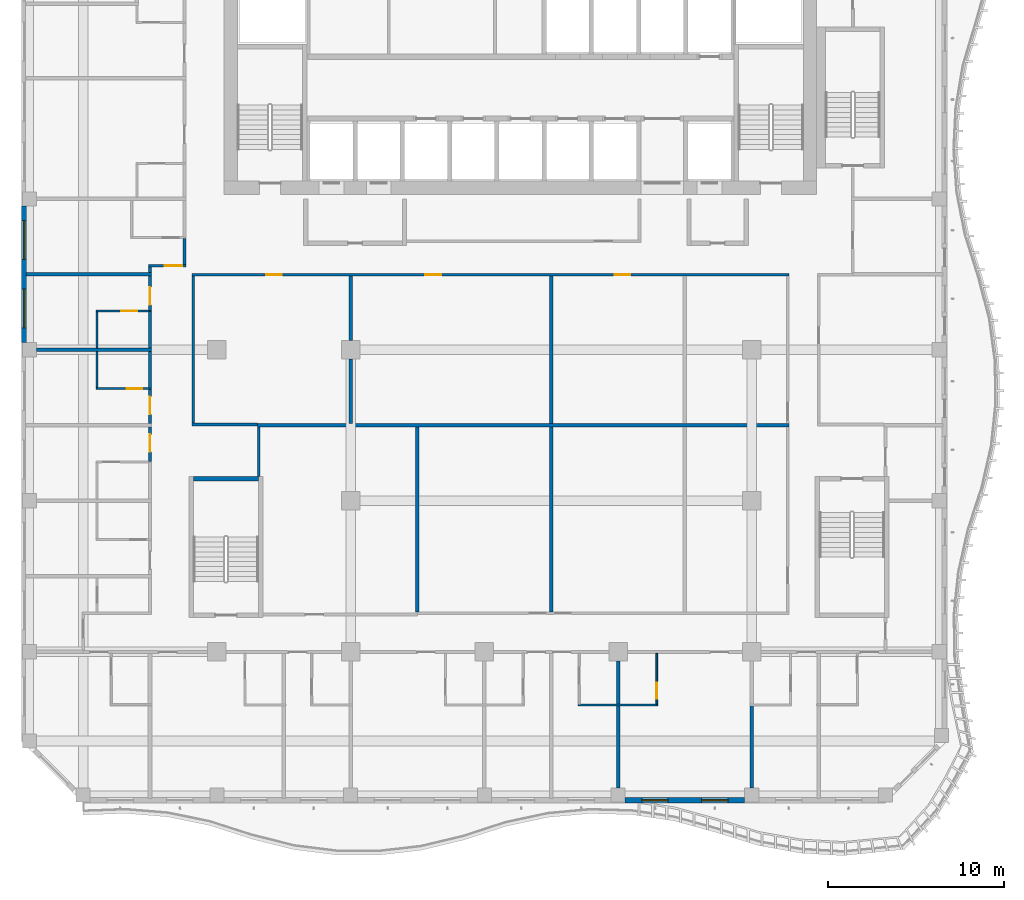
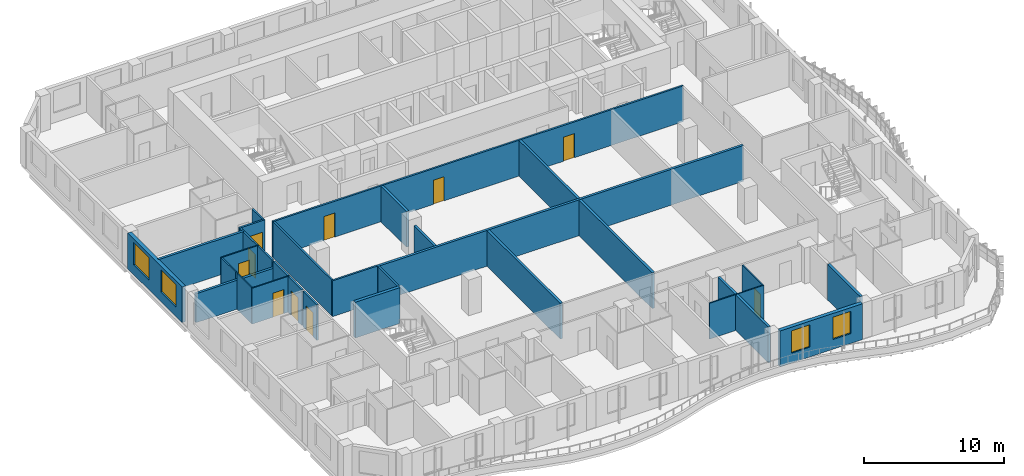
# One storey, part 4 of 21: 32 walls, 10 doors, 4 windows, 14 openings.
"""IFC4 building model written with IfcOpenShell, lengths in metres."""

from ifc_helpers import new_model, si_unit, direction, frame, frame_2d, origin, place, context, subcontext, project, spatial, rectangle, extrude, source, transform, mapped, material, layer, layer_set, type_object, element, fill, save


model = new_model("IFC4")

# Units and contexts
model_context = context("Model", 3, precision=1e-05, world=origin(), true_north=direction((0.0, 1.0)))
body_context = subcontext(model_context, "Body", "Model", "MODEL_VIEW")
ifc_project = project(units=[si_unit("LENGTHUNIT", "METRE"), si_unit("AREAUNIT", "SQUARE_METRE"), si_unit("VOLUMEUNIT", "CUBIC_METRE"), si_unit("PLANEANGLEUNIT", "RADIAN"), si_unit("MASSUNIT", "GRAM", prefix="KILO")], contexts=[model_context])

# Site, building, storey
site_placement = place(None, origin())
site = spatial("IfcSite", under=ifc_project, at=site_placement, CompositionType="ELEMENT")
building_placement = place(site_placement, origin())
building = spatial("IfcBuilding", under=site, at=building_placement, Name="Kilnfold Tower and Market Hall", CompositionType="ELEMENT")
storey_placement = place(building_placement, frame((0.0, 0.0, 182.10009765625)))
storey = spatial("IfcBuildingStorey", under=building, at=storey_placement, Name="L43", CompositionType="ELEMENT", Elevation=182.10009765625)

# Wall, opening, door
ifc_material_1 = material(Name="Gypsum board on steel studs", Category="steel")
ifc_layer_1 = layer(ifc_material_1, 0.14990234375)
ifc_layer_set_1 = layer_set([ifc_layer_1], Name="Gypsum board on steel studs")
wall_type_1 = type_object("IfcWallType", Name="WALL CORRIDOR 150", PredefinedType="PARTITIONING", material=ifc_layer_set_1)
wall_1_placement = place(storey_placement, frame((-19.958984375, -6.885009765625, 0.0), z_axis=(0.0, 0.0, 1.0), x_axis=(0.0, 1.0, 0.0)))
wall_1 = element("IfcWall", 1, at=wall_1_placement, inside=storey, type_object=wall_type_1, Name="Partition LY27.12", PredefinedType="PARTITIONING", context=body_context, shape_type="SweptSolid", body=[
    extrude(rectangle(XDim=1.951904296875, YDim=0.14990234375, at=frame_2d((0.97607421875, 0.0))), origin(), (0.0, 0.0, 1.0), 3.119873046875),
])
opening_1_placement = place(wall_1_placement, frame((0.531005859375, 0.0, 0.0)))
opening_1 = element("IfcOpeningElement", 2, at=opening_1_placement, cuts=wall_1, Name="Opening D1", PredefinedType="OPENING", context=body_context, shape_type="SweptSolid", body=[
    extrude(rectangle(XDim=1.0, YDim=2.10009765625, at=frame_2d((0.5, 1.050048828125))), frame((0.0, 0.0849609375, 0.0), z_axis=(0.0, -1.0, 0.0), x_axis=(1.0, 0.0, 0.0)), (0.0, 0.0, 1.0), 0.169921875),
])
ifc_material_2 = material(Name="Timber veneer door leaf in steel frame", Category="steel")
door_type_1 = type_object("IfcDoorType", Name="DOOR ENTRY 1000 X2100", OperationType="NOTDEFINED", PredefinedType="DOOR", material=ifc_material_2)
door_1_placement = place(opening_1_placement, origin())
door_1 = element("IfcDoor", 3, at=door_1_placement, inside=storey, type_object=door_type_1, Name="Door D1", OperationType="SINGLE_SWING_LEFT", OverallHeight=2.10009765625, OverallWidth=1.0, PredefinedType="DOOR", context=body_context, shape_type="SweptSolid", body=[
    extrude(rectangle(XDim=1.0, YDim=2.10009765625, at=frame_2d((0.5, 1.050048828125))), frame((0.0, 0.02490234375, 0.0), z_axis=(0.0, -1.0, 0.0), x_axis=(1.0, 0.0, 0.0)), (0.0, 0.0, 1.0), 0.050048828125),
])
fill(opening_1, door_1)

wall_2_placement = place(storey_placement, frame((-19.958984375, -4.7529296875, 0.0), z_axis=(0.0, 0.0, 1.0), x_axis=(0.0, 1.0, 0.0)))
wall_2 = element("IfcWall", 4, at=wall_2_placement, inside=storey, type_object=wall_type_1, Name="Partition LY27.14", PredefinedType="PARTITIONING", context=body_context, shape_type="SweptSolid", body=[
    extrude(rectangle(XDim=1.950927734375, YDim=0.14990234375, at=frame_2d((0.9755859375, 0.0))), origin(), (0.0, 0.0, 1.0), 3.119873046875),
])
opening_2_placement = place(wall_2_placement, frame((0.531005859375, 0.0, 0.0)))
opening_2 = element("IfcOpeningElement", 5, at=opening_2_placement, cuts=wall_2, Name="Opening D1", PredefinedType="OPENING", context=body_context, shape_type="SweptSolid", body=[
    extrude(rectangle(XDim=1.0, YDim=2.10009765625, at=frame_2d((0.5, 1.050048828125))), frame((0.0, 0.0849609375, 0.0), z_axis=(0.0, -1.0, 0.0), x_axis=(1.0, 0.0, 0.0)), (0.0, 0.0, 1.0), 0.169921875),
])
door_2_placement = place(opening_2_placement, origin())
door_2 = element("IfcDoor", 6, at=door_2_placement, inside=storey, type_object=door_type_1, Name="Door D1", OperationType="SINGLE_SWING_LEFT", OverallHeight=2.10009765625, OverallWidth=1.0, PredefinedType="DOOR", context=body_context, shape_type="SweptSolid", body=[
    extrude(rectangle(XDim=1.0, YDim=2.10009765625, at=frame_2d((0.5, 1.050048828125))), frame((0.0, 0.02490234375, 0.0), z_axis=(0.0, -1.0, 0.0), x_axis=(1.0, 0.0, 0.0)), (0.0, 0.0, 1.0), 0.050048828125),
])
fill(opening_2, door_2)

# Wall
wall_3_placement = place(storey_placement, frame((-19.958984375, -2.721923828125, 0.0), z_axis=(0.0, 0.0, 1.0), x_axis=(0.0, 1.0, 0.0)))
element("IfcWall", 7, at=wall_3_placement, inside=storey, type_object=wall_type_1, Name="Partition LY27.15", PredefinedType="PARTITIONING", context=body_context, shape_type="SweptSolid", body=[
    extrude(rectangle(XDim=2.06982421875, YDim=0.14990234375, at=frame_2d((1.034912109375, 0.0))), origin(), (0.0, 0.0, 1.0), 3.119873046875),
])

# Wall, opening, door
wall_4_placement = place(storey_placement, frame((-19.958984375, 1.677978515625, 0.0), z_axis=(0.0, 0.0, 1.0), x_axis=(0.0, 1.0, 0.0)))
wall_4 = element("IfcWall", 8, at=wall_4_placement, inside=storey, type_object=wall_type_1, Name="Partition LY27.16", PredefinedType="PARTITIONING", context=body_context, shape_type="SweptSolid", body=[
    extrude(rectangle(XDim=1.950927734375, YDim=0.14990234375, at=frame_2d((0.9755859375, 0.0))), origin(), (0.0, 0.0, 1.0), 3.119873046875),
])
opening_3_placement = place(wall_4_placement, frame((0.31005859375, 0.0, 0.0)))
opening_3 = element("IfcOpeningElement", 9, at=opening_3_placement, cuts=wall_4, Name="Opening D1", PredefinedType="OPENING", context=body_context, shape_type="SweptSolid", body=[
    extrude(rectangle(XDim=1.0, YDim=2.10009765625, at=frame_2d((0.5, 1.050048828125))), frame((0.0, 0.0849609375, 0.0), z_axis=(0.0, -1.0, 0.0), x_axis=(1.0, 0.0, 0.0)), (0.0, 0.0, 1.0), 0.169921875),
])
door_3_placement = place(opening_3_placement, origin())
door_3 = element("IfcDoor", 10, at=door_3_placement, inside=storey, type_object=door_type_1, Name="Door D1", OperationType="SINGLE_SWING_LEFT", OverallHeight=2.10009765625, OverallWidth=1.0, PredefinedType="DOOR", context=body_context, shape_type="SweptSolid", body=[
    extrude(rectangle(XDim=1.0, YDim=2.10009765625, at=frame_2d((0.5, 1.050048828125))), frame((0.0, 0.02490234375, 0.0), z_axis=(0.0, -1.0, 0.0), x_axis=(1.0, 0.0, 0.0)), (0.0, 0.0, 1.0), 0.050048828125),
])
fill(opening_3, door_3)

# Walls
wall_5_placement = place(storey_placement, frame((-19.958984375, -0.471923828125, 0.0), z_axis=(0.0, 0.0, 1.0), x_axis=(0.0, 1.0, 0.0)))
element("IfcWall", 11, at=wall_5_placement, inside=storey, type_object=wall_type_1, Name="Partition LY27.17", PredefinedType="PARTITIONING", context=body_context, shape_type="SweptSolid", body=[
    extrude(rectangle(XDim=2.06982421875, YDim=0.14990234375, at=frame_2d((1.034912109375, 0.0))), origin(), (0.0, 0.0, 1.0), 3.119873046875),
])
wall_6_placement = place(storey_placement, frame((-19.958984375, 3.80908203125, 0.0), z_axis=(0.0, 0.0, 1.0), x_axis=(0.0, 1.0, 0.0)))
element("IfcWall", 12, at=wall_6_placement, inside=storey, type_object=wall_type_1, Name="Partition LY27.18", PredefinedType="PARTITIONING", context=body_context, shape_type="SweptSolid", body=[
    extrude(rectangle(XDim=0.31591796875, YDim=0.14990234375, at=frame_2d((0.157958984375, 0.0))), origin(), (0.0, 0.0, 1.0), 3.119873046875),
])

# Wall, opening, door
wall_7_placement = place(storey_placement, frame((-17.925048828125, 4.199951171875, 0.0), z_axis=(0.0, 0.0, 1.0), x_axis=(-1.0, 0.0, 0.0)))
wall_7 = element("IfcWall", 13, at=wall_7_placement, inside=storey, type_object=wall_type_1, Name="Partition LY27.19", PredefinedType="PARTITIONING", context=body_context, shape_type="SweptSolid", body=[
    extrude(rectangle(XDim=2.10888671875, YDim=0.14990234375, at=frame_2d((1.054443359375, 0.0))), origin(), (0.0, 0.0, 1.0), 3.119873046875),
])
opening_4_placement = place(wall_7_placement, frame((0.199951171875, 0.0, 0.0)))
opening_4 = element("IfcOpeningElement", 14, at=opening_4_placement, cuts=wall_7, Name="Opening D1", PredefinedType="OPENING", context=body_context, shape_type="SweptSolid", body=[
    extrude(rectangle(XDim=1.0, YDim=2.10009765625, at=frame_2d((0.5, 1.050048828125))), frame((0.0, 0.0849609375, 0.0), z_axis=(0.0, -1.0, 0.0), x_axis=(1.0, 0.0, 0.0)), (0.0, 0.0, 1.0), 0.169921875),
])
door_4_placement = place(opening_4_placement, origin())
door_4 = element("IfcDoor", 15, at=door_4_placement, inside=storey, type_object=door_type_1, Name="Door D1", OperationType="SINGLE_SWING_LEFT", OverallHeight=2.10009765625, OverallWidth=1.0, PredefinedType="DOOR", context=body_context, shape_type="SweptSolid", body=[
    extrude(rectangle(XDim=1.0, YDim=2.10009765625, at=frame_2d((0.5, 1.050048828125))), frame((0.0, 0.02490234375, 0.0), z_axis=(0.0, -1.0, 0.0), x_axis=(1.0, 0.0, 0.0)), (0.0, 0.0, 1.0), 0.050048828125),
])
fill(opening_4, door_4)

# Wall
wall_8_placement = place(storey_placement, frame((-18.0, 4.27490234375, 0.0), z_axis=(0.0, 0.0, 1.0), x_axis=(0.0, 1.0, 0.0)))
element("IfcWall", 16, at=wall_8_placement, inside=storey, type_object=wall_type_1, Name="Partition LY27.20", PredefinedType="PARTITIONING", context=body_context, shape_type="SweptSolid", body=[
    extrude(rectangle(XDim=1.485107421875, YDim=0.14990234375, at=frame_2d((0.74267578125, 0.0))), origin(), (0.0, 0.0, 1.0), 3.119873046875),
])

# Wall, openings, doors
wall_9_placement = place(storey_placement, frame((-17.574951171875, 3.699951171875, 0.0), z_axis=(0.0, 0.0, 1.0), x_axis=(1.0, 0.0, 0.0)))
wall_9 = element("IfcWall", 17, at=wall_9_placement, inside=storey, type_object=wall_type_1, Name="Partition LY27.42", PredefinedType="PARTITIONING", context=body_context, shape_type="SweptSolid", body=[
    extrude(rectangle(XDim=33.849853515625, YDim=0.14990234375, at=frame_2d((16.9248046875, 0.0))), origin(), (0.0, 0.0, 1.0), 3.119873046875),
])
opening_5_placement = place(wall_9_placement, frame((4.200927734375, 0.0, 0.0)))
opening_5 = element("IfcOpeningElement", 18, at=opening_5_placement, cuts=wall_9, Name="Opening D2", PredefinedType="OPENING", context=body_context, shape_type="SweptSolid", body=[
    extrude(rectangle(XDim=0.89990234375, YDim=2.10009765625, at=frame_2d((0.449951171875, 1.050048828125))), frame((0.0, 0.0849609375, 0.0), z_axis=(0.0, -1.0, 0.0), x_axis=(1.0, 0.0, 0.0)), (0.0, 0.0, 1.0), 0.169921875),
])
opening_6_placement = place(wall_9_placement, frame((13.219970703125, 0.0, 0.0)))
opening_6 = element("IfcOpeningElement", 19, at=opening_6_placement, cuts=wall_9, Name="Opening D2", PredefinedType="OPENING", context=body_context, shape_type="SweptSolid", body=[
    extrude(rectangle(XDim=0.89990234375, YDim=2.10009765625, at=frame_2d((0.449951171875, 1.050048828125))), frame((0.0, 0.0849609375, 0.0), z_axis=(0.0, -1.0, 0.0), x_axis=(1.0, 0.0, 0.0)), (0.0, 0.0, 1.0), 0.169921875),
])
opening_7_placement = place(wall_9_placement, frame((23.958984375, 0.0, 0.0)))
opening_7 = element("IfcOpeningElement", 20, at=opening_7_placement, cuts=wall_9, Name="Opening D2", PredefinedType="OPENING", context=body_context, shape_type="SweptSolid", body=[
    extrude(rectangle(XDim=0.89990234375, YDim=2.10009765625, at=frame_2d((0.449951171875, 1.050048828125))), frame((0.0, 0.0849609375, 0.0), z_axis=(0.0, -1.0, 0.0), x_axis=(1.0, 0.0, 0.0)), (0.0, 0.0, 1.0), 0.169921875),
])
ifc_material_3 = material(Name="Timber veneer door leaf in steel frame", Category="steel")
door_type_2 = type_object("IfcDoorType", Name="DOOR ROOM 900 X2100", OperationType="NOTDEFINED", PredefinedType="DOOR", material=ifc_material_3)
door_5_placement = place(opening_5_placement, origin())
door_5 = element("IfcDoor", 21, at=door_5_placement, inside=storey, type_object=door_type_2, Name="Door D2", OperationType="SINGLE_SWING_LEFT", OverallHeight=2.10009765625, OverallWidth=0.89990234375, PredefinedType="DOOR", context=body_context, shape_type="SweptSolid", body=[
    extrude(rectangle(XDim=0.89990234375, YDim=2.10009765625, at=frame_2d((0.449951171875, 1.050048828125))), frame((0.0, 0.02490234375, 0.0), z_axis=(0.0, -1.0, 0.0), x_axis=(1.0, 0.0, 0.0)), (0.0, 0.0, 1.0), 0.050048828125),
])
fill(opening_5, door_5)
door_6_placement = place(opening_6_placement, origin())
door_6 = element("IfcDoor", 22, at=door_6_placement, inside=storey, type_object=door_type_2, Name="Door D2", OperationType="SINGLE_SWING_LEFT", OverallHeight=2.10009765625, OverallWidth=0.89990234375, PredefinedType="DOOR", context=body_context, shape_type="SweptSolid", body=[
    extrude(rectangle(XDim=0.89990234375, YDim=2.10009765625, at=frame_2d((0.449951171875, 1.050048828125))), frame((0.0, 0.02490234375, 0.0), z_axis=(0.0, -1.0, 0.0), x_axis=(1.0, 0.0, 0.0)), (0.0, 0.0, 1.0), 0.050048828125),
])
fill(opening_6, door_6)
door_7_placement = place(opening_7_placement, origin())
door_7 = element("IfcDoor", 23, at=door_7_placement, inside=storey, type_object=door_type_2, Name="Door D2", OperationType="SINGLE_SWING_LEFT", OverallHeight=2.10009765625, OverallWidth=0.89990234375, PredefinedType="DOOR", context=body_context, shape_type="SweptSolid", body=[
    extrude(rectangle(XDim=0.89990234375, YDim=2.10009765625, at=frame_2d((0.449951171875, 1.050048828125))), frame((0.0, 0.02490234375, 0.0), z_axis=(0.0, -1.0, 0.0), x_axis=(1.0, 0.0, 0.0)), (0.0, 0.0, 1.0), 0.050048828125),
])
fill(opening_7, door_7)

# Walls
wall_10_placement = place(storey_placement, frame((-17.5, -4.72509765625, 0.0), z_axis=(0.0, 0.0, 1.0), x_axis=(0.0, 1.0, 0.0)))
element("IfcWall", 24, at=wall_10_placement, inside=storey, type_object=wall_type_1, Name="Partition LY27.43", PredefinedType="PARTITIONING", context=body_context, shape_type="SweptSolid", body=[
    extrude(rectangle(XDim=8.35009765625, YDim=0.14990234375, at=frame_2d((4.175048828125, 0.0))), origin(), (0.0, 0.0, 1.0), 3.119873046875),
])
wall_11_placement = place(storey_placement, frame((-17.574951171875, -4.800048828125, 0.0), z_axis=(0.0, 0.0, 1.0), x_axis=(1.0, 0.0, 0.0)))
element("IfcWall", 25, at=wall_11_placement, inside=storey, type_object=wall_type_1, Name="Partition LY27.44", PredefinedType="PARTITIONING", context=body_context, shape_type="SweptSolid", body=[
    extrude(rectangle(XDim=3.701904296875, YDim=0.14990234375, at=frame_2d((1.85107421875, 0.0))), origin(), (0.0, 0.0, 1.0), 3.119873046875),
])
wall_12_placement = place(storey_placement, frame((-13.800048828125, -7.75, 0.0), z_axis=(0.0, 0.0, 1.0), x_axis=(0.0, 1.0, 0.0)))
element("IfcWall", 26, at=wall_12_placement, inside=storey, type_object=wall_type_1, Name="Partition LY27.46", PredefinedType="PARTITIONING", context=body_context, shape_type="SweptSolid", body=[
    extrude(rectangle(XDim=2.81689453125, YDim=0.14990234375, at=frame_2d((1.408447265625, 0.0))), origin(), (0.0, 0.0, 1.0), 3.119873046875),
])
ifc_material_4 = material(Name="Gypsum board on steel studs", Category="steel")
ifc_layer_2 = layer(ifc_material_4, 0.10009765625)
ifc_layer_set_2 = layer_set([ifc_layer_2], Name="Gypsum board on steel studs")
wall_type_2 = type_object("IfcWallType", Name="WALL PARTITION 100", PredefinedType="PARTITIONING", material=ifc_layer_set_2)
wall_13_placement = place(storey_placement, frame((4.3330078125, -20.701904296875, 0.0), z_axis=(0.0, 0.0, 1.0), x_axis=(1.0, 0.0, 0.0)))
element("IfcWall", 27, at=wall_13_placement, inside=storey, type_object=wall_type_2, Name="Partition LY27.70", PredefinedType="PARTITIONING", context=body_context, shape_type="SweptSolid", body=[
    extrude(rectangle(XDim=4.5, YDim=0.10009765625, at=frame_2d((2.25, 0.0))), origin(), (0.0, 0.0, 1.0), 3.119873046875),
])

# Wall, opening, door
wall_14_placement = place(storey_placement, frame((8.782958984375, -17.777099609375, 0.0), z_axis=(0.0, 0.0, 1.0), x_axis=(0.0, -1.0, 0.0)))
wall_14 = element("IfcWall", 28, at=wall_14_placement, inside=storey, type_object=wall_type_2, Name="Partition LY27.73", PredefinedType="PARTITIONING", context=body_context, shape_type="SweptSolid", body=[
    extrude(rectangle(XDim=2.875, YDim=0.10009765625, at=frame_2d((1.4375, 0.0))), origin(), (0.0, 0.0, 1.0), 3.119873046875),
])
opening_8_placement = place(wall_14_placement, frame((1.669921875, 0.0, 0.0)))
opening_8 = element("IfcOpeningElement", 29, at=opening_8_placement, cuts=wall_14, Name="Opening D3", PredefinedType="OPENING", context=body_context, shape_type="SweptSolid", body=[
    extrude(rectangle(XDim=0.89990234375, YDim=2.10009765625, at=frame_2d((0.449951171875, 1.050048828125))), frame((0.0, 0.06005859375, 0.0), z_axis=(0.0, -1.0, 0.0), x_axis=(1.0, 0.0, 0.0)), (0.0, 0.0, 1.0), 0.1201171875),
])
ifc_material_5 = material(Name="Timber veneer door leaf in steel frame", Category="steel")
door_type_3 = type_object("IfcDoorType", Name="DOOR WC 900 X2100", OperationType="NOTDEFINED", PredefinedType="DOOR", material=ifc_material_5)
door_8_placement = place(opening_8_placement, origin())
door_8 = element("IfcDoor", 30, at=door_8_placement, inside=storey, type_object=door_type_3, Name="Door D3", OperationType="SINGLE_SWING_LEFT", OverallHeight=2.10009765625, OverallWidth=0.89990234375, PredefinedType="DOOR", context=body_context, shape_type="SweptSolid", body=[
    extrude(rectangle(XDim=0.89990234375, YDim=2.10009765625, at=frame_2d((0.449951171875, 1.050048828125))), frame((0.0, 0.02490234375, 0.0), z_axis=(0.0, -1.0, 0.0), x_axis=(1.0, 0.0, 0.0)), (0.0, 0.0, 1.0), 0.050048828125),
])
fill(opening_8, door_8)

wall_15_placement = place(storey_placement, frame((-19.885986328125, -2.761962890625, 0.0), z_axis=(0.0, 0.0, 1.0), x_axis=(-1.0, 0.0, 0.0)))
wall_15 = element("IfcWall", 31, at=wall_15_placement, inside=storey, type_object=wall_type_2, Name="Partition LY27.91", PredefinedType="PARTITIONING", context=body_context, shape_type="SweptSolid", body=[
    extrude(rectangle(XDim=3.125, YDim=0.10009765625, at=frame_2d((1.5625, 0.0))), origin(), (0.0, 0.0, 1.0), 3.119873046875),
])
opening_9_placement = place(wall_15_placement, frame((0.50390625, 0.0, 0.0)))
opening_9 = element("IfcOpeningElement", 32, at=opening_9_placement, cuts=wall_15, Name="Opening D3", PredefinedType="OPENING", context=body_context, shape_type="SweptSolid", body=[
    extrude(rectangle(XDim=0.89990234375, YDim=2.10009765625, at=frame_2d((0.449951171875, 1.050048828125))), frame((0.0, 0.06005859375, 0.0), z_axis=(0.0, -1.0, 0.0), x_axis=(1.0, 0.0, 0.0)), (0.0, 0.0, 1.0), 0.1201171875),
])
door_9_placement = place(opening_9_placement, origin())
door_9 = element("IfcDoor", 33, at=door_9_placement, inside=storey, type_object=door_type_3, Name="Door D3", OperationType="SINGLE_SWING_RIGHT", OverallHeight=2.10009765625, OverallWidth=0.89990234375, PredefinedType="DOOR", context=body_context, shape_type="SweptSolid", body=[
    extrude(rectangle(XDim=0.89990234375, YDim=2.10009765625, at=frame_2d((0.449951171875, 1.050048828125))), frame((0.0, 0.02490234375, 0.0), z_axis=(0.0, -1.0, 0.0), x_axis=(1.0, 0.0, 0.0)), (0.0, 0.0, 1.0), 0.050048828125),
])
fill(opening_9, door_9)

# Wall
wall_16_placement = place(storey_placement, frame((-22.9609375, -2.7119140625, 0.0), z_axis=(0.0, 0.0, 1.0), x_axis=(0.0, 1.0, 0.0)))
element("IfcWall", 34, at=wall_16_placement, inside=storey, type_object=wall_type_2, Name="Partition LY27.92", PredefinedType="PARTITIONING", context=body_context, shape_type="SweptSolid", body=[
    extrude(rectangle(XDim=2.0498046875, YDim=0.10009765625, at=frame_2d((1.02490234375, 0.0))), origin(), (0.0, 0.0, 1.0), 3.119873046875),
])

# Wall, opening, door
wall_17_placement = place(storey_placement, frame((-23.010986328125, 1.637939453125, 0.0), z_axis=(0.0, 0.0, 1.0), x_axis=(1.0, 0.0, 0.0)))
wall_17 = element("IfcWall", 35, at=wall_17_placement, inside=storey, type_object=wall_type_2, Name="Partition LY27.94", PredefinedType="PARTITIONING", context=body_context, shape_type="SweptSolid", body=[
    extrude(rectangle(XDim=3.125, YDim=0.10009765625, at=frame_2d((1.5625, 0.0))), origin(), (0.0, 0.0, 1.0), 3.119873046875),
])
opening_10_placement = place(wall_17_placement, frame((1.4169921875, 0.0, 0.0)))
opening_10 = element("IfcOpeningElement", 36, at=opening_10_placement, cuts=wall_17, Name="Opening D3", PredefinedType="OPENING", context=body_context, shape_type="SweptSolid", body=[
    extrude(rectangle(XDim=0.89990234375, YDim=2.10009765625, at=frame_2d((0.449951171875, 1.050048828125))), frame((0.0, 0.06005859375, 0.0), z_axis=(0.0, -1.0, 0.0), x_axis=(1.0, 0.0, 0.0)), (0.0, 0.0, 1.0), 0.1201171875),
])
door_10_placement = place(opening_10_placement, origin())
door_10 = element("IfcDoor", 37, at=door_10_placement, inside=storey, type_object=door_type_3, Name="Door D3", OperationType="SINGLE_SWING_LEFT", OverallHeight=2.10009765625, OverallWidth=0.89990234375, PredefinedType="DOOR", context=body_context, shape_type="SweptSolid", body=[
    extrude(rectangle(XDim=0.89990234375, YDim=2.10009765625, at=frame_2d((0.449951171875, 1.050048828125))), frame((0.0, 0.02490234375, 0.0), z_axis=(0.0, -1.0, 0.0), x_axis=(1.0, 0.0, 0.0)), (0.0, 0.0, 1.0), 0.050048828125),
])
fill(opening_10, door_10)

# Walls
wall_18_placement = place(storey_placement, frame((-22.9609375, -0.4619140625, 0.0), z_axis=(0.0, 0.0, 1.0), x_axis=(0.0, 1.0, 0.0)))
element("IfcWall", 38, at=wall_18_placement, inside=storey, type_object=wall_type_2, Name="Partition LY27.95", PredefinedType="PARTITIONING", context=body_context, shape_type="SweptSolid", body=[
    extrude(rectangle(XDim=2.0498046875, YDim=0.10009765625, at=frame_2d((1.02490234375, 0.0))), origin(), (0.0, 0.0, 1.0), 3.119873046875),
])
ifc_material_6 = material(Name="Gypsum board on steel studs", Category="steel")
ifc_layer_3 = layer(ifc_material_6, 0.199951171875)
ifc_layer_set_3 = layer_set([ifc_layer_3], Name="Gypsum board on steel studs")
wall_type_3 = type_object("IfcWallType", Name="WALL PARTY 200", PredefinedType="PARTITIONING", material=ifc_layer_set_3)
wall_19_placement = place(storey_placement, frame((6.5830078125, -25.39990234375, 0.0), z_axis=(0.0, 0.0, 1.0), x_axis=(0.0, 1.0, 0.0)))
element("IfcWall", 39, at=wall_19_placement, inside=storey, type_object=wall_type_3, Name="Partition LY27.71", PredefinedType="PARTITIONING", context=body_context, shape_type="SweptSolid", body=[
    extrude(rectangle(XDim=4.64794921875, YDim=0.199951171875, at=frame_2d((2.323974609375, 0.0))), origin(), (0.0, 0.0, 1.0), 3.119873046875),
])
wall_20_placement = place(storey_placement, frame((6.5830078125, -20.652099609375, 0.0), z_axis=(0.0, 0.0, 1.0), x_axis=(0.0, 1.0, 0.0)))
element("IfcWall", 40, at=wall_20_placement, inside=storey, type_object=wall_type_3, Name="Partition LY27.72", PredefinedType="PARTITIONING", context=body_context, shape_type="SweptSolid", body=[
    extrude(rectangle(XDim=2.440185546875, YDim=0.199951171875, at=frame_2d((1.22021484375, 0.0))), origin(), (0.0, 0.0, 1.0), 3.119873046875),
])
wall_21_placement = place(storey_placement, frame((14.1669921875, -25.39990234375, 0.0), z_axis=(0.0, 0.0, 1.0), x_axis=(0.0, 1.0, 0.0)))
element("IfcWall", 41, at=wall_21_placement, inside=storey, type_object=wall_type_3, Name="Partition LY27.74", PredefinedType="PARTITIONING", context=body_context, shape_type="SweptSolid", body=[
    extrude(rectangle(XDim=4.657958984375, YDim=0.199951171875, at=frame_2d((2.3291015625, 0.0))), origin(), (0.0, 0.0, 1.0), 3.119873046875),
])
wall_22_placement = place(storey_placement, frame((-26.39990234375, -0.56201171875, 0.0), z_axis=(0.0, 0.0, 1.0), x_axis=(1.0, 0.0, 0.0)))
element("IfcWall", 42, at=wall_22_placement, inside=storey, type_object=wall_type_3, Name="Partition LY27.93", PredefinedType="PARTITIONING", context=body_context, shape_type="SweptSolid", body=[
    extrude(rectangle(XDim=6.513916015625, YDim=0.199951171875, at=frame_2d((3.2568359375, 0.0))), origin(), (0.0, 0.0, 1.0), 2.52001953125),
])
wall_23_placement = place(storey_placement, frame((-27.0, 3.718994140625, 0.0), z_axis=(0.0, 0.0, 1.0), x_axis=(1.0, 0.0, 0.0)))
element("IfcWall", 43, at=wall_23_placement, inside=storey, type_object=wall_type_3, Name="Partition LY27.96", PredefinedType="PARTITIONING", context=body_context, shape_type="SweptSolid", body=[
    extrude(rectangle(XDim=7.114013671875, YDim=0.199951171875, at=frame_2d((3.55712890625, 0.0))), origin(), (0.0, 0.0, 1.0), 3.119873046875),
])
wall_24_placement = place(storey_placement, frame((-8.5830078125, -0.037109375, 0.0), z_axis=(0.0, 0.0, 1.0), x_axis=(0.0, 1.0, 0.0)))
element("IfcWall", 44, at=wall_24_placement, inside=storey, type_object=wall_type_3, Name="Partition LY27.117", PredefinedType="PARTITIONING", context=body_context, shape_type="SweptSolid", body=[
    extrude(rectangle(XDim=3.66015625, YDim=0.199951171875, at=frame_2d((1.830078125, 0.0))), origin(), (0.0, 0.0, 1.0), 3.119873046875),
])
wall_25_placement = place(storey_placement, frame((-8.5830078125, -4.742919921875, 0.0), z_axis=(0.0, 0.0, 1.0), x_axis=(0.0, 1.0, 0.0)))
element("IfcWall", 45, at=wall_25_placement, inside=storey, type_object=wall_type_3, Name="Partition LY27.118", PredefinedType="PARTITIONING", context=body_context, shape_type="SweptSolid", body=[
    extrude(rectangle(XDim=3.656005859375, YDim=0.199951171875, at=frame_2d((1.828125, 0.0))), origin(), (0.0, 0.0, 1.0), 2.52001953125),
])
wall_26_placement = place(storey_placement, frame((-13.873046875, -4.843017578125, 0.0), z_axis=(0.0, 0.0, 1.0), x_axis=(1.0, 0.0, 0.0)))
element("IfcWall", 46, at=wall_26_placement, inside=storey, type_object=wall_type_3, Name="Partition LY27.119", PredefinedType="PARTITIONING", context=body_context, shape_type="SweptSolid", body=[
    extrude(rectangle(XDim=30.14599609375, YDim=0.199951171875, at=frame_2d((15.072998046875, 0.0))), origin(), (0.0, 0.0, 1.0), 3.119873046875),
])
wall_27_placement = place(storey_placement, frame((2.7919921875, -4.742919921875, 0.0), z_axis=(0.0, 0.0, 1.0), x_axis=(0.0, 1.0, 0.0)))
element("IfcWall", 47, at=wall_27_placement, inside=storey, type_object=wall_type_3, Name="Partition LY27.120", PredefinedType="PARTITIONING", context=body_context, shape_type="SweptSolid", body=[
    extrude(rectangle(XDim=8.365966796875, YDim=0.199951171875, at=frame_2d((4.18310546875, 0.0))), origin(), (0.0, 0.0, 1.0), 3.119873046875),
])
for number, where, z_axis, x_axis, name in (
    (48, (-4.7919921875, -15.423095703125, 0.0), (0.0, 0.0, 1.0), (0.0, 1.0, 0.0), "Partition LY27.122"),
    (49, (2.7919921875, -15.423095703125, 0.0), (0.0, 0.0, 1.0), (0.0, 1.0, 0.0), "Partition LY27.123"),
):
    element("IfcWall", number, at=place(storey_placement, frame(where, z_axis=z_axis, x_axis=x_axis)), inside=storey, type_object=wall_type_3, Name=name, PredefinedType="PARTITIONING", context=body_context, shape_type="SweptSolid", body=[
        extrude(rectangle(XDim=10.47998046875, YDim=0.199951171875, at=frame_2d((5.239990234375, 0.0))), origin(), (0.0, 0.0, 1.0), 3.119873046875),
    ])
ifc_material_7 = material(Name="Concrete C60", Category="concrete")
ifc_layer_4 = layer(ifc_material_7, 0.25)
ifc_layer_set_4 = layer_set([ifc_layer_4], Name="Concrete C60")
wall_type_4 = type_object("IfcWallType", Name="CORE WALL 250 C60", PredefinedType="SHEAR", material=ifc_layer_set_4)
shared_shape_1 = source(origin(), body_context, "Body", "SweptSolid", [
    extrude(rectangle(XDim=3.699951171875, YDim=0.25, at=frame_2d((1.85009765625, 0.0))), origin(), (0.0, 0.0, 1.0), 3.119873046875),
])
wall_28_placement = place(storey_placement, frame((-17.5, -7.875, 0.0), z_axis=(0.0, 0.0, 1.0), x_axis=(1.0, 0.0, 0.0)))
element("IfcWall", 50, at=wall_28_placement, inside=storey, type_object=wall_type_4, Name="Stair enclosure ST3", PredefinedType="SHEAR", context=body_context, shape_type="MappedRepresentation", body=[
    mapped(shared_shape_1, transform((0.0, 0.0, 0.0))),
])

# Wall, openings, windows
ifc_material_8 = material(Name="Precast concrete C50/60", Category="concrete")
ifc_layer_5 = layer(ifc_material_8, 0.300048828125)
ifc_layer_set_5 = layer_set([ifc_layer_5], Name="Precast concrete C50/60")
wall_type_5 = type_object("IfcWallType", Name="PRECAST WALL 300", PredefinedType="SOLIDWALL", material=ifc_layer_set_5)
shared_shape_2 = source(origin(), body_context, "Body", "SweptSolid", [
    extrude(rectangle(XDim=6.783203125, YDim=0.300048828125, at=frame_2d((3.3916015625, 0.0))), origin(), (0.0, 0.0, 1.0), 3.119873046875),
])
wall_29_placement = place(storey_placement, frame((6.9833984375, -26.10009765625, 0.0), z_axis=(0.0, 0.0, 1.0), x_axis=(1.0, 0.0, 0.0)))
wall_29 = element("IfcWall", 51, at=wall_29_placement, inside=storey, type_object=wall_type_5, Name="External wall L43 S", PredefinedType="SOLIDWALL", context=body_context, shape_type="MappedRepresentation", body=[
    mapped(shared_shape_2, transform((0.0, 0.0, 0.0))),
])
opening_11_placement = place(wall_29_placement, frame((0.94580078125, 0.0, 0.85009765625)))
opening_11 = element("IfcOpeningElement", 52, at=opening_11_placement, cuts=wall_29, Name="Opening W4", PredefinedType="OPENING", context=body_context, shape_type="SweptSolid", body=[
    extrude(rectangle(XDim=1.5, YDim=1.949951171875, at=frame_2d((0.75, 0.97509765625))), frame((0.0, 0.16015625, 0.0), z_axis=(0.0, -1.0, 0.0), x_axis=(1.0, 0.0, 0.0)), (0.0, 0.0, 1.0), 0.320068359375),
])
opening_12_placement = place(wall_29_placement, frame((4.337646484375, 0.0, 0.85009765625)))
opening_12 = element("IfcOpeningElement", 53, at=opening_12_placement, cuts=wall_29, Name="Opening W4", PredefinedType="OPENING", context=body_context, shape_type="SweptSolid", body=[
    extrude(rectangle(XDim=1.5, YDim=1.949951171875, at=frame_2d((0.75, 0.97509765625))), frame((0.0, 0.16015625, 0.0), z_axis=(0.0, -1.0, 0.0), x_axis=(1.0, 0.0, 0.0)), (0.0, 0.0, 1.0), 0.320068359375),
])
ifc_material_9 = material(Name="Aluminium frame and double glazing", Category="aluminium")
window_type_1 = type_object("IfcWindowType", Name="WINDOW W4 1500X1950", PartitioningType="SINGLE_PANEL", PredefinedType="WINDOW", material=ifc_material_9)
window_1_placement = place(opening_11_placement, origin())
window_1 = element("IfcWindow", 54, at=window_1_placement, inside=storey, type_object=window_type_1, Name="Window W4 L43 S-1", OverallHeight=1.949951171875, OverallWidth=1.5, PartitioningType="SINGLE_PANEL", PredefinedType="WINDOW", context=body_context, shape_type="SweptSolid", body=[
    extrude(rectangle(XDim=1.5, YDim=1.949951171875, at=frame_2d((0.75, 0.97509765625))), frame((0.0, 0.030029296875, 0.0), z_axis=(0.0, -1.0, 0.0), x_axis=(1.0, 0.0, 0.0)), (0.0, 0.0, 1.0), 0.06005859375),
])
fill(opening_11, window_1)
window_2_placement = place(opening_12_placement, origin())
window_2 = element("IfcWindow", 55, at=window_2_placement, inside=storey, type_object=window_type_1, Name="Window W4 L43 S-2", OverallHeight=1.949951171875, OverallWidth=1.5, PartitioningType="SINGLE_PANEL", PredefinedType="WINDOW", context=body_context, shape_type="SweptSolid", body=[
    extrude(rectangle(XDim=1.5, YDim=1.949951171875, at=frame_2d((0.75, 0.97509765625))), frame((0.0, 0.030029296875, 0.0), z_axis=(0.0, -1.0, 0.0), x_axis=(1.0, 0.0, 0.0)), (0.0, 0.0, 1.0), 0.06005859375),
])
fill(opening_12, window_2)

shared_shape_3 = source(origin(), body_context, "Body", "SweptSolid", [
    extrude(rectangle(XDim=7.7626953125, YDim=0.300048828125, at=frame_2d((3.88134765625, 0.0))), origin(), (0.0, 0.0, 1.0), 3.119873046875),
])
wall_30_placement = place(storey_placement, frame((-27.10009765625, 7.60009765625, 0.0), z_axis=(0.0, 0.0, 1.0), x_axis=(0.0, -1.0, 0.0)))
wall_30 = element("IfcWall", 56, at=wall_30_placement, inside=storey, type_object=wall_type_5, Name="External wall L43 W", PredefinedType="SOLIDWALL", context=body_context, shape_type="MappedRepresentation", body=[
    mapped(shared_shape_3, transform((0.0, 0.0, 0.0))),
])
opening_13_placement = place(wall_30_placement, frame((0.840576171875, 0.0, 0.85009765625)))
opening_13 = element("IfcOpeningElement", 57, at=opening_13_placement, cuts=wall_30, Name="Opening W2", PredefinedType="OPENING", context=body_context, shape_type="SweptSolid", body=[
    extrude(rectangle(XDim=2.199951171875, YDim=1.949951171875, at=frame_2d((1.10009765625, 0.97509765625))), frame((0.0, 0.16015625, 0.0), z_axis=(0.0, -1.0, 0.0), x_axis=(1.0, 0.0, 0.0)), (0.0, 0.0, 1.0), 0.320068359375),
])
opening_14_placement = place(wall_30_placement, frame((4.7216796875, 0.0, 0.85009765625)))
opening_14 = element("IfcOpeningElement", 58, at=opening_14_placement, cuts=wall_30, Name="Opening W2", PredefinedType="OPENING", context=body_context, shape_type="SweptSolid", body=[
    extrude(rectangle(XDim=2.199951171875, YDim=1.949951171875, at=frame_2d((1.10009765625, 0.97509765625))), frame((0.0, 0.16015625, 0.0), z_axis=(0.0, -1.0, 0.0), x_axis=(1.0, 0.0, 0.0)), (0.0, 0.0, 1.0), 0.320068359375),
])
ifc_material_10 = material(Name="Aluminium frame and double glazing", Category="aluminium")
window_type_2 = type_object("IfcWindowType", Name="WINDOW W2 2200X1950", PartitioningType="SINGLE_PANEL", PredefinedType="WINDOW", material=ifc_material_10)
window_3_placement = place(opening_13_placement, origin())
window_3 = element("IfcWindow", 59, at=window_3_placement, inside=storey, type_object=window_type_2, Name="Window W2 L43 W-1", OverallHeight=1.949951171875, OverallWidth=2.199951171875, PartitioningType="SINGLE_PANEL", PredefinedType="WINDOW", context=body_context, shape_type="SweptSolid", body=[
    extrude(rectangle(XDim=2.199951171875, YDim=1.949951171875, at=frame_2d((1.10009765625, 0.97509765625))), frame((0.0, 0.030029296875, 0.0), z_axis=(0.0, -1.0, 0.0), x_axis=(1.0, 0.0, 0.0)), (0.0, 0.0, 1.0), 0.06005859375),
])
fill(opening_13, window_3)
window_4_placement = place(opening_14_placement, origin())
window_4 = element("IfcWindow", 60, at=window_4_placement, inside=storey, type_object=window_type_2, Name="Window W2 L43 W-2", OverallHeight=1.949951171875, OverallWidth=2.199951171875, PartitioningType="SINGLE_PANEL", PredefinedType="WINDOW", context=body_context, shape_type="SweptSolid", body=[
    extrude(rectangle(XDim=2.199951171875, YDim=1.949951171875, at=frame_2d((1.10009765625, 0.97509765625))), frame((0.0, 0.030029296875, 0.0), z_axis=(0.0, -1.0, 0.0), x_axis=(1.0, 0.0, 0.0)), (0.0, 0.0, 1.0), 0.06005859375),
])
fill(opening_14, window_4)

save(model, "model.ifc")
